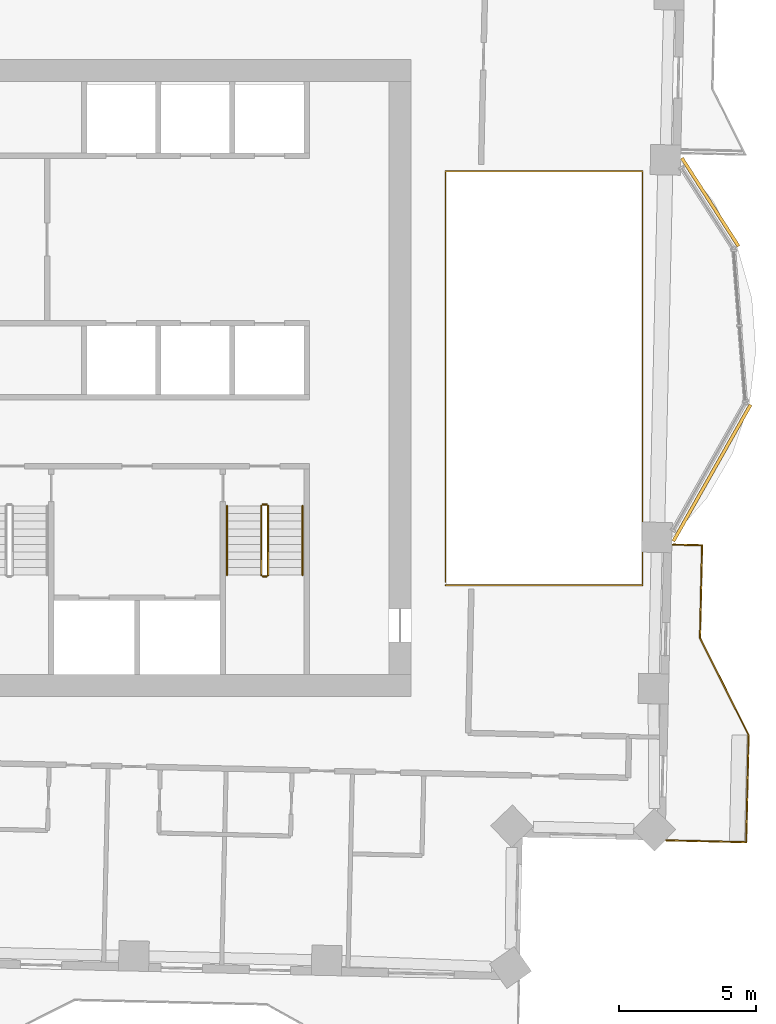
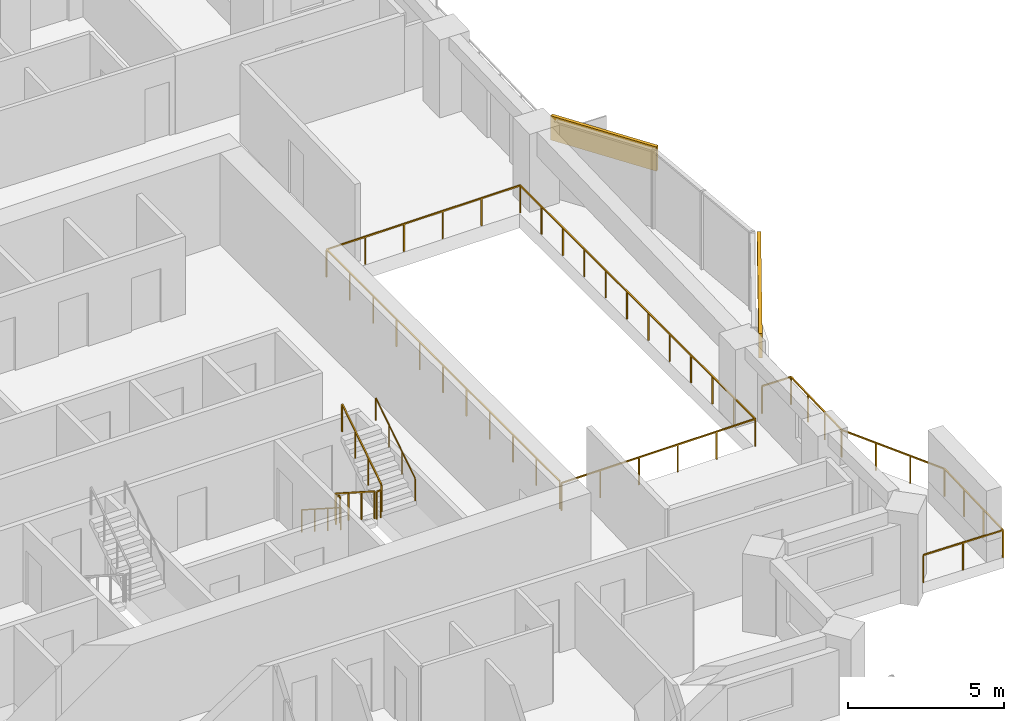
# One storey, part 15 of 16: 8 railings, 2 coverings.
"""IFC4 building model written with IfcOpenShell, lengths in metres."""

from ifc_helpers import new_model, si_unit, direction, frame, frame_2d, origin, origin_2d, place, context, subcontext, project, spatial, rectangle, circle, extrude, material, layer, layer_set, type_object, element, save


model = new_model("IFC4")

# Units and contexts
model_context = context("Model", 3, precision=1e-05, world=origin(), true_north=direction((0.0, 1.0)))
body_context = subcontext(model_context, "Body", "Model", "MODEL_VIEW")
ifc_project = project(units=[si_unit("LENGTHUNIT", "METRE"), si_unit("AREAUNIT", "SQUARE_METRE"), si_unit("VOLUMEUNIT", "CUBIC_METRE"), si_unit("PLANEANGLEUNIT", "RADIAN"), si_unit("MASSUNIT", "GRAM", prefix="KILO")], contexts=[model_context])

# Site, building, storey
site_placement = place(None, origin())
site = spatial("IfcSite", under=ifc_project, at=site_placement, CompositionType="ELEMENT")
building_placement = place(site_placement, origin())
building = spatial("IfcBuilding", under=site, at=building_placement, Name="Mangrove Gate Tower", CompositionType="ELEMENT")
storey_placement = place(building_placement, frame((0.0, 0.0, 215.89990234375)))
storey = spatial("IfcBuildingStorey", under=building, at=storey_placement, Name="L55", CompositionType="ELEMENT", Elevation=215.89990234375)

# Railings
ifc_material_1 = material(Name="Stainless steel grade 316 with laminated glass infill", Category="steel")
railing_type_1 = type_object("IfcRailingType", Name="Balcony guard 1100", PredefinedType="GUARDRAIL", material=ifc_material_1)
railing_1_placement = place(storey_placement, frame((23.89892578125, -16.8330078125, 0.0)))
element("IfcRailing", 1, at=railing_1_placement, inside=storey, type_object=railing_type_1, Name="GUARD L55 E1", PredefinedType="GUARDRAIL", context=body_context, shape_type="SweptSolid", body=[
    extrude(rectangle(XDim=0.048095703125, YDim=0.048095703125, at=origin_2d()), frame((0.0, 0.0, 1.076171875), z_axis=(0.999743392495, -0.022652795902, 0.0), x_axis=(0.022652795902, 0.999743392495, 0.0)), (0.0, 0.0, 1.0), 2.909912109375),
    extrude(rectangle(XDim=0.048095703125, YDim=0.048095703125, at=origin_2d()), frame((2.9091796875, -0.06591796875, 1.076171875), z_axis=(0.022786818173, 0.999740346749, 0.0), x_axis=(-0.999740346749, 0.022786818173, 0.0)), (0.0, 0.0, 1.0), 3.89990234375),
    extrude(rectangle(XDim=0.048095703125, YDim=0.048095703125, at=origin_2d()), frame((2.998046875, 3.8330078125, 1.076171875), z_axis=(-0.447114919141, 0.894476522376, 0.0), x_axis=(-0.894476522376, -0.447114919141, 0.0)), (0.0, 0.0, 1.0), 3.958740234375),
    extrude(rectangle(XDim=0.048095703125, YDim=0.048095703125, at=origin_2d()), frame((1.22802734375, 7.3740234375, 1.076171875), z_axis=(0.022497922048, 0.999746889719, 0.0), x_axis=(-0.999746889719, 0.022497922048, 0.0)), (0.0, 0.0, 1.0), 3.374755859375),
    extrude(rectangle(XDim=0.048095703125, YDim=0.048095703125, at=origin_2d()), frame((1.303955078125, 10.748046875, 1.076171875), z_axis=(-0.999744802133, 0.022590498181, 0.0), x_axis=(-0.022590498181, -0.999744802133, 0.0)), (0.0, 0.0, 1.0), 1.05908203125),
    extrude(rectangle(XDim=0.0419921875, YDim=0.0419921875, at=origin_2d()), origin(), (0.0, 0.0, 1.0), 1.052001953125),
    extrude(rectangle(XDim=0.0419921875, YDim=0.0419921875, at=origin_2d()), frame((1.45458984375, -0.032958984375, 0.0)), (0.0, 0.0, 1.0), 1.052001953125),
    extrude(rectangle(XDim=0.0419921875, YDim=0.0419921875, at=origin_2d()), frame((2.9091796875, -0.06591796875, 0.0)), (0.0, 0.0, 1.0), 1.052001953125),
    extrude(rectangle(XDim=0.0419921875, YDim=0.0419921875, at=origin_2d()), frame((2.938720703125, 1.233642578125, 0.0)), (0.0, 0.0, 1.0), 1.052001953125),
    extrude(rectangle(XDim=0.0419921875, YDim=0.0419921875, at=origin_2d()), frame((2.968505859375, 2.533447265625, 0.0)), (0.0, 0.0, 1.0), 1.052001953125),
    extrude(rectangle(XDim=0.0419921875, YDim=0.0419921875, at=origin_2d()), frame((2.998046875, 3.8330078125, 0.0)), (0.0, 0.0, 1.0), 1.052001953125),
    extrude(rectangle(XDim=0.0419921875, YDim=0.0419921875, at=origin_2d()), frame((2.407958984375, 5.013427734375, 0.0)), (0.0, 0.0, 1.0), 1.052001953125),
    extrude(rectangle(XDim=0.0419921875, YDim=0.0419921875, at=origin_2d()), frame((1.818115234375, 6.193603515625, 0.0)), (0.0, 0.0, 1.0), 1.052001953125),
    extrude(rectangle(XDim=0.0419921875, YDim=0.0419921875, at=origin_2d()), frame((1.22802734375, 7.3740234375, 0.0)), (0.0, 0.0, 1.0), 1.052001953125),
    extrude(rectangle(XDim=0.0419921875, YDim=0.0419921875, at=origin_2d()), frame((1.25341796875, 8.498779296875, 0.0)), (0.0, 0.0, 1.0), 1.052001953125),
    extrude(rectangle(XDim=0.0419921875, YDim=0.0419921875, at=origin_2d()), frame((1.278564453125, 9.623291015625, 0.0)), (0.0, 0.0, 1.0), 1.052001953125),
    extrude(rectangle(XDim=0.0419921875, YDim=0.0419921875, at=origin_2d()), frame((1.303955078125, 10.748046875, 0.0)), (0.0, 0.0, 1.0), 1.052001953125),
    extrude(rectangle(XDim=0.0419921875, YDim=0.0419921875, at=origin_2d()), frame((0.2451171875, 10.77197265625, 0.0)), (0.0, 0.0, 1.0), 1.052001953125),
])
railing_2_placement = place(storey_placement, frame((15.860107421875, -7.5400390625, 0.0)))
element("IfcRailing", 2, at=railing_2_placement, inside=storey, type_object=railing_type_1, Name="GUARD L55 atrium", PredefinedType="GUARDRAIL", context=body_context, shape_type="SweptSolid", body=[
    extrude(rectangle(XDim=0.048095703125, YDim=0.048095703125, at=origin_2d()), frame((0.0, 0.0, 1.076171875), z_axis=(1.0, 0.0, 0.0), x_axis=(0.0, 1.0, 0.0)), (0.0, 0.0, 1.0), 7.1748046875),
    extrude(rectangle(XDim=0.048095703125, YDim=0.048095703125, at=origin_2d()), frame((7.1748046875, 0.0, 1.076171875), z_axis=(0.0, 1.0, 0.0), x_axis=(-1.0, 0.0, 0.0)), (0.0, 0.0, 1.0), 15.080078125),
    extrude(rectangle(XDim=0.048095703125, YDim=0.048095703125, at=origin_2d()), frame((7.1748046875, 15.080078125, 1.076171875), z_axis=(-1.0, 0.0, 0.0), x_axis=(0.0, -1.0, 0.0)), (0.0, 0.0, 1.0), 7.1748046875),
    extrude(rectangle(XDim=0.048095703125, YDim=0.048095703125, at=origin_2d()), frame((0.0, 15.080078125, 1.076171875), z_axis=(0.0, -1.0, 0.0), x_axis=(1.0, 0.0, 0.0)), (0.0, 0.0, 1.0), 14.9599609375),
    extrude(rectangle(XDim=0.0419921875, YDim=0.0419921875, at=origin_2d()), origin(), (0.0, 0.0, 1.0), 1.052001953125),
    extrude(rectangle(XDim=0.0419921875, YDim=0.0419921875, at=origin_2d()), frame((1.43505859375, 0.0, 0.0)), (0.0, 0.0, 1.0), 1.052001953125),
    extrude(rectangle(XDim=0.0419921875, YDim=0.0419921875, at=origin_2d()), frame((2.869873046875, 0.0, 0.0)), (0.0, 0.0, 1.0), 1.052001953125),
    extrude(rectangle(XDim=0.0419921875, YDim=0.0419921875, at=origin_2d()), frame((4.304931640625, 0.0, 0.0)), (0.0, 0.0, 1.0), 1.052001953125),
    extrude(rectangle(XDim=0.0419921875, YDim=0.0419921875, at=origin_2d()), frame((5.73974609375, 0.0, 0.0)), (0.0, 0.0, 1.0), 1.052001953125),
    extrude(rectangle(XDim=0.0419921875, YDim=0.0419921875, at=origin_2d()), frame((7.1748046875, 0.0, 0.0)), (0.0, 0.0, 1.0), 1.052001953125),
    extrude(rectangle(XDim=0.0419921875, YDim=0.0419921875, at=origin_2d()), frame((7.1748046875, 1.370849609375, 0.0)), (0.0, 0.0, 1.0), 1.052001953125),
    extrude(rectangle(XDim=0.0419921875, YDim=0.0419921875, at=origin_2d()), frame((7.1748046875, 2.741943359375, 0.0)), (0.0, 0.0, 1.0), 1.052001953125),
    extrude(rectangle(XDim=0.0419921875, YDim=0.0419921875, at=origin_2d()), frame((7.1748046875, 4.11279296875, 0.0)), (0.0, 0.0, 1.0), 1.052001953125),
    extrude(rectangle(XDim=0.0419921875, YDim=0.0419921875, at=origin_2d()), frame((7.1748046875, 5.483642578125, 0.0)), (0.0, 0.0, 1.0), 1.052001953125),
    extrude(rectangle(XDim=0.0419921875, YDim=0.0419921875, at=origin_2d()), frame((7.1748046875, 6.8544921875, 0.0)), (0.0, 0.0, 1.0), 1.052001953125),
    extrude(rectangle(XDim=0.0419921875, YDim=0.0419921875, at=origin_2d()), frame((7.1748046875, 8.2255859375, 0.0)), (0.0, 0.0, 1.0), 1.052001953125),
    extrude(rectangle(XDim=0.0419921875, YDim=0.0419921875, at=origin_2d()), frame((7.1748046875, 9.596435546875, 0.0)), (0.0, 0.0, 1.0), 1.052001953125),
    extrude(rectangle(XDim=0.0419921875, YDim=0.0419921875, at=origin_2d()), frame((7.1748046875, 10.96728515625, 0.0)), (0.0, 0.0, 1.0), 1.052001953125),
    extrude(rectangle(XDim=0.0419921875, YDim=0.0419921875, at=origin_2d()), frame((7.1748046875, 12.338134765625, 0.0)), (0.0, 0.0, 1.0), 1.052001953125),
    extrude(rectangle(XDim=0.0419921875, YDim=0.0419921875, at=origin_2d()), frame((7.1748046875, 13.709228515625, 0.0)), (0.0, 0.0, 1.0), 1.052001953125),
    extrude(rectangle(XDim=0.0419921875, YDim=0.0419921875, at=origin_2d()), frame((7.1748046875, 15.080078125, 0.0)), (0.0, 0.0, 1.0), 1.052001953125),
    extrude(rectangle(XDim=0.0419921875, YDim=0.0419921875, at=origin_2d()), frame((5.73974609375, 15.080078125, 0.0)), (0.0, 0.0, 1.0), 1.052001953125),
    extrude(rectangle(XDim=0.0419921875, YDim=0.0419921875, at=origin_2d()), frame((4.304931640625, 15.080078125, 0.0)), (0.0, 0.0, 1.0), 1.052001953125),
    extrude(rectangle(XDim=0.0419921875, YDim=0.0419921875, at=origin_2d()), frame((2.869873046875, 15.080078125, 0.0)), (0.0, 0.0, 1.0), 1.052001953125),
    extrude(rectangle(XDim=0.0419921875, YDim=0.0419921875, at=origin_2d()), frame((1.43505859375, 15.080078125, 0.0)), (0.0, 0.0, 1.0), 1.052001953125),
    extrude(rectangle(XDim=0.0419921875, YDim=0.0419921875, at=origin_2d()), frame((0.0, 15.080078125, 0.0)), (0.0, 0.0, 1.0), 1.052001953125),
    extrude(rectangle(XDim=0.0419921875, YDim=0.0419921875, at=origin_2d()), frame((0.0, 13.583984375, 0.0)), (0.0, 0.0, 1.0), 1.052001953125),
    extrude(rectangle(XDim=0.0419921875, YDim=0.0419921875, at=origin_2d()), frame((0.0, 12.088134765625, 0.0)), (0.0, 0.0, 1.0), 1.052001953125),
    extrude(rectangle(XDim=0.0419921875, YDim=0.0419921875, at=origin_2d()), frame((0.0, 10.592041015625, 0.0)), (0.0, 0.0, 1.0), 1.052001953125),
    extrude(rectangle(XDim=0.0419921875, YDim=0.0419921875, at=origin_2d()), frame((0.0, 9.09619140625, 0.0)), (0.0, 0.0, 1.0), 1.052001953125),
    extrude(rectangle(XDim=0.0419921875, YDim=0.0419921875, at=origin_2d()), frame((0.0, 7.60009765625, 0.0)), (0.0, 0.0, 1.0), 1.052001953125),
    extrude(rectangle(XDim=0.0419921875, YDim=0.0419921875, at=origin_2d()), frame((0.0, 6.10400390625, 0.0)), (0.0, 0.0, 1.0), 1.052001953125),
    extrude(rectangle(XDim=0.0419921875, YDim=0.0419921875, at=origin_2d()), frame((0.0, 4.608154296875, 0.0)), (0.0, 0.0, 1.0), 1.052001953125),
    extrude(rectangle(XDim=0.0419921875, YDim=0.0419921875, at=origin_2d()), frame((0.0, 3.112060546875, 0.0)), (0.0, 0.0, 1.0), 1.052001953125),
    extrude(rectangle(XDim=0.0419921875, YDim=0.0419921875, at=origin_2d()), frame((0.0, 1.6162109375, 0.0)), (0.0, 0.0, 1.0), 1.052001953125),
    extrude(rectangle(XDim=0.0419921875, YDim=0.0419921875, at=origin_2d()), frame((0.0, 0.1201171875, 0.0)), (0.0, 0.0, 1.0), 1.052001953125),
])
ifc_material_2 = material(Name="Stainless steel 316", Category="steel")
railing_type_2 = type_object("IfcRailingType", Name="Core stair guard 1100", PredefinedType="GUARDRAIL", material=ifc_material_2)
railing_3_placement = place(storey_placement, frame((9.14990234375, -4.64990234375, 0.18017578125)))
element("IfcRailing", 3, at=railing_3_placement, inside=storey, type_object=railing_type_2, Name="L55 ST3 stair guard 1", PredefinedType="GUARDRAIL", context=body_context, shape_type="SweptSolid", body=[
    extrude(rectangle(XDim=0.048095703125, YDim=0.048095703125, at=origin_2d()), frame((0.0, 0.0, 1.076171875), z_axis=(0.0, -0.841199657755, 0.540724639528), x_axis=(1.0, 0.0, 0.0)), (0.0, 0.0, 1.0), 2.995849609375),
    extrude(rectangle(XDim=0.0419921875, YDim=0.0419921875, at=origin_2d()), origin(), (0.0, 0.0, 1.0), 1.052001953125),
    extrude(rectangle(XDim=0.0419921875, YDim=0.0419921875, at=origin_2d()), frame((0.0, -0.840087890625, 0.5400390625)), (0.0, 0.0, 1.0), 1.052001953125),
    extrude(rectangle(XDim=0.0419921875, YDim=0.0419921875, at=origin_2d()), frame((0.0, -1.679931640625, 1.079833984375)), (0.0, 0.0, 1.0), 1.052001953125),
    extrude(rectangle(XDim=0.0419921875, YDim=0.0419921875, at=origin_2d()), frame((0.0, -2.52001953125, 1.619873046875)), (0.0, 0.0, 1.0), 1.052001953125),
])
railing_4_placement = place(storey_placement, frame((9.199951171875, -7.219970703125, 1.800048828125)))
element("IfcRailing", 4, at=railing_4_placement, inside=storey, type_object=railing_type_2, Name="L55 ST3 stair guard 2", PredefinedType="GUARDRAIL", context=body_context, shape_type="SweptSolid", body=[
    extrude(rectangle(XDim=0.048095703125, YDim=0.048095703125, at=origin_2d()), frame((0.0, 0.0, 1.076171875), z_axis=(1.0, 0.0, 0.0), x_axis=(0.0, 1.0, 0.0)), (0.0, 0.0, 1.0), 0.150146484375),
    extrude(rectangle(XDim=0.0419921875, YDim=0.0419921875, at=origin_2d()), origin(), (0.0, 0.0, 1.0), 1.052001953125),
    extrude(rectangle(XDim=0.0419921875, YDim=0.0419921875, at=origin_2d()), frame((0.150146484375, 0.0, 0.0)), (0.0, 0.0, 1.0), 1.052001953125),
])
railing_5_placement = place(storey_placement, frame((9.39990234375, -7.169921875, 1.97998046875)))
element("IfcRailing", 5, at=railing_5_placement, inside=storey, type_object=railing_type_2, Name="L55 ST3 stair guard 3", PredefinedType="GUARDRAIL", context=body_context, shape_type="SweptSolid", body=[
    extrude(rectangle(XDim=0.048095703125, YDim=0.048095703125, at=origin_2d()), frame((0.0, 0.0, 1.076171875), z_axis=(0.0, 0.841162588446, 0.540782303519), x_axis=(-1.0, 0.0, 0.0)), (0.0, 0.0, 1.0), 2.995849609375),
    extrude(rectangle(XDim=0.0419921875, YDim=0.0419921875, at=origin_2d()), origin(), (0.0, 0.0, 1.0), 1.052001953125),
    extrude(rectangle(XDim=0.0419921875, YDim=0.0419921875, at=origin_2d()), frame((0.0, 0.840087890625, 0.5400390625)), (0.0, 0.0, 1.0), 1.052001953125),
    extrude(rectangle(XDim=0.0419921875, YDim=0.0419921875, at=origin_2d()), frame((0.0, 1.679931640625, 1.080078125)), (0.0, 0.0, 1.0), 1.052001953125),
    extrude(rectangle(XDim=0.0419921875, YDim=0.0419921875, at=origin_2d()), frame((0.0, 2.52001953125, 1.6201171875)), (0.0, 0.0, 1.0), 1.052001953125),
])
railing_6_placement = place(storey_placement, frame((9.199951171875, -4.60009765625, 0.0)))
element("IfcRailing", 6, at=railing_6_placement, inside=storey, type_object=railing_type_2, Name="L55 ST3 stair guard 4", PredefinedType="GUARDRAIL", context=body_context, shape_type="SweptSolid", body=[
    extrude(rectangle(XDim=0.048095703125, YDim=0.048095703125, at=origin_2d()), frame((0.0, 0.0, 1.076171875), z_axis=(1.0, 0.0, 0.0), x_axis=(0.0, 1.0, 0.0)), (0.0, 0.0, 1.0), 0.150146484375),
    extrude(rectangle(XDim=0.0419921875, YDim=0.0419921875, at=origin_2d()), origin(), (0.0, 0.0, 1.0), 1.052001953125),
    extrude(rectangle(XDim=0.0419921875, YDim=0.0419921875, at=origin_2d()), frame((0.150146484375, 0.0, 0.0)), (0.0, 0.0, 1.0), 1.052001953125),
])
ifc_material_3 = material(Name="Stainless steel 316", Category="steel")
railing_type_3 = type_object("IfcRailingType", Name="Core stair handrail 900", PredefinedType="HANDRAIL", material=ifc_material_3)
railing_7_placement = place(storey_placement, frame((7.89990234375, -4.64990234375, 0.18017578125)))
element("IfcRailing", 7, at=railing_7_placement, inside=storey, type_object=railing_type_3, Name="L55 ST3 stair handrail 1", PredefinedType="HANDRAIL", context=body_context, shape_type="SweptSolid", body=[
    extrude(circle(Radius=0.02392578125, at=origin_2d()), frame((0.0, 0.0, 0.8759765625), z_axis=(0.0, -0.841199657755, 0.540724639528), x_axis=(1.0, 0.0, 0.0)), (0.0, 0.0, 1.0), 2.995849609375),
    extrude(circle(Radius=0.02099609375, at=origin_2d()), origin(), (0.0, 0.0, 1.0), 0.851806640625),
    extrude(circle(Radius=0.02099609375, at=origin_2d()), frame((0.0, -0.840087890625, 0.5400390625)), (0.0, 0.0, 1.0), 0.851806640625),
    extrude(circle(Radius=0.02099609375, at=origin_2d()), frame((0.0, -1.679931640625, 1.079833984375)), (0.0, 0.0, 1.0), 0.851806640625),
    extrude(circle(Radius=0.02099609375, at=origin_2d()), frame((0.0, -2.52001953125, 1.619873046875)), (0.0, 0.0, 1.0), 0.851806640625),
])
railing_8_placement = place(storey_placement, frame((10.64990234375, -7.169921875, 1.97998046875)))
element("IfcRailing", 8, at=railing_8_placement, inside=storey, type_object=railing_type_3, Name="L55 ST3 stair handrail 2", PredefinedType="HANDRAIL", context=body_context, shape_type="SweptSolid", body=[
    extrude(circle(Radius=0.02392578125, at=origin_2d()), frame((0.0, 0.0, 0.8759765625), z_axis=(0.0, 0.841162588446, 0.540782303519), x_axis=(-1.0, 0.0, 0.0)), (0.0, 0.0, 1.0), 2.995849609375),
    extrude(circle(Radius=0.02099609375, at=origin_2d()), origin(), (0.0, 0.0, 1.0), 0.851806640625),
    extrude(circle(Radius=0.02099609375, at=origin_2d()), frame((0.0, 0.840087890625, 0.5400390625)), (0.0, 0.0, 1.0), 0.851806640625),
    extrude(circle(Radius=0.02099609375, at=origin_2d()), frame((0.0, 1.679931640625, 1.080078125)), (0.0, 0.0, 1.0), 0.851806640625),
    extrude(circle(Radius=0.02099609375, at=origin_2d()), frame((0.0, 2.52001953125, 1.6201171875)), (0.0, 0.0, 1.0), 0.851806640625),
])

# Coverings
ifc_material_4 = material(Name="Limestone", Category="masonry")
ifc_layer_1 = layer(ifc_material_4, 0.0400390625, Name="Limestone cladding")
ifc_material_5 = material(Name="Stainless steel anchors and cavity", Category="steel")
ifc_layer_2 = layer(ifc_material_5, 0.080078125, Name="Fixing cavity")
ifc_layer_set = layer_set([ifc_layer_1, ifc_layer_2], Name="Joint fascia cladding 120")
covering_type = type_object("IfcCoveringType", Name="Joint fascia cladding 120", PredefinedType="CLADDING", material=ifc_layer_set)
covering_1_placement = place(storey_placement, frame((24.156982421875, -5.9365234375, 2.10009765625), z_axis=(0.0, 0.0, 1.0), x_axis=(0.492512614445, 0.870305305403, 0.0)))
element("IfcCovering", 9, at=covering_1_placement, inside=storey, type_object=covering_type, Name="STONE FASCIA L55 E1.L1", PredefinedType="CLADDING", context=body_context, shape_type="SweptSolid", body=[
    extrude(rectangle(XDim=5.70556640625, YDim=0.1201171875, at=frame_2d((2.852783203125, 0.0))), origin(), (0.0, 0.0, 1.0), 0.949951171875),
])
covering_2_placement = place(storey_placement, frame((26.531005859375, 4.802001953125, 2.10009765625), z_axis=(0.0, 0.0, 1.0), x_axis=(-0.540340805768, 0.841446263063, 0.0)))
element("IfcCovering", 10, at=covering_2_placement, inside=storey, type_object=covering_type, Name="STONE FASCIA L55 E1.L2", PredefinedType="CLADDING", context=body_context, shape_type="SweptSolid", body=[
    extrude(rectangle(XDim=3.81982421875, YDim=0.1201171875, at=frame_2d((1.909912109375, 0.0))), origin(), (0.0, 0.0, 1.0), 0.949951171875),
])

save(model, "model.ifc")
